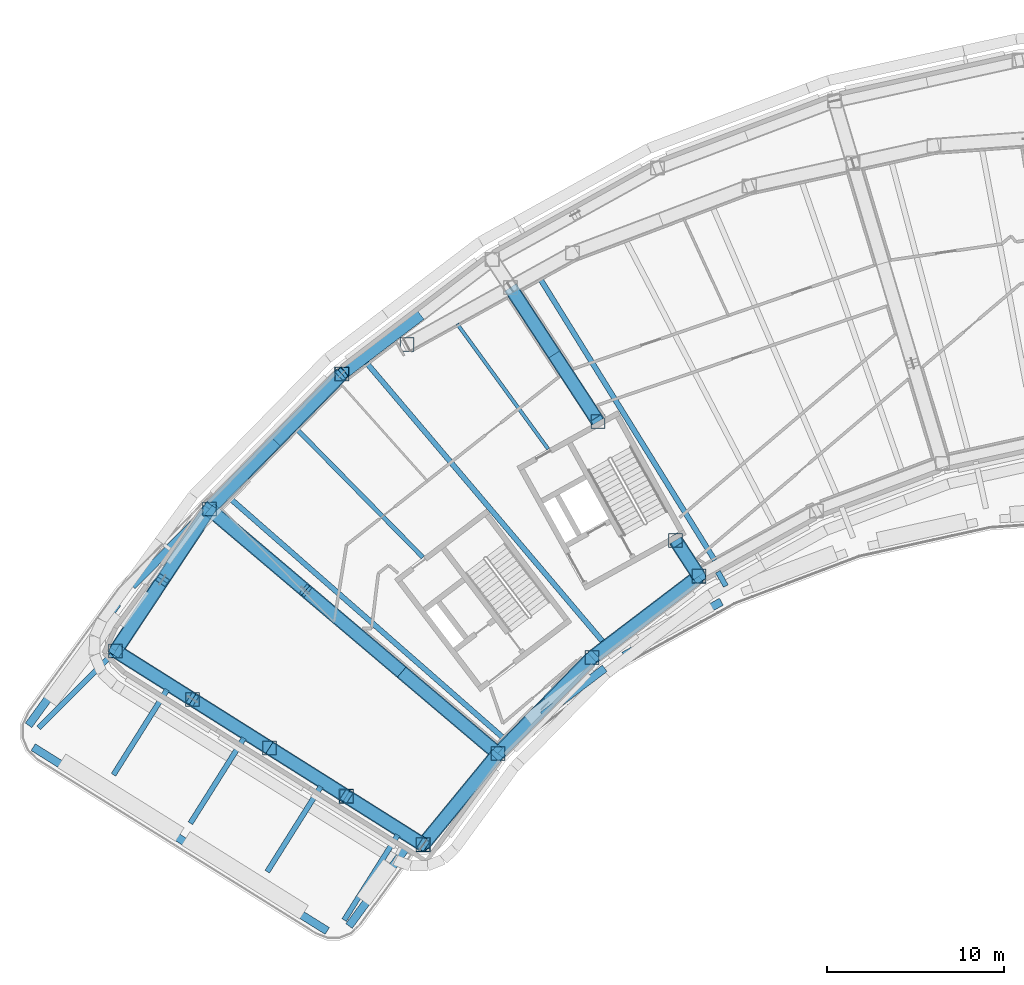
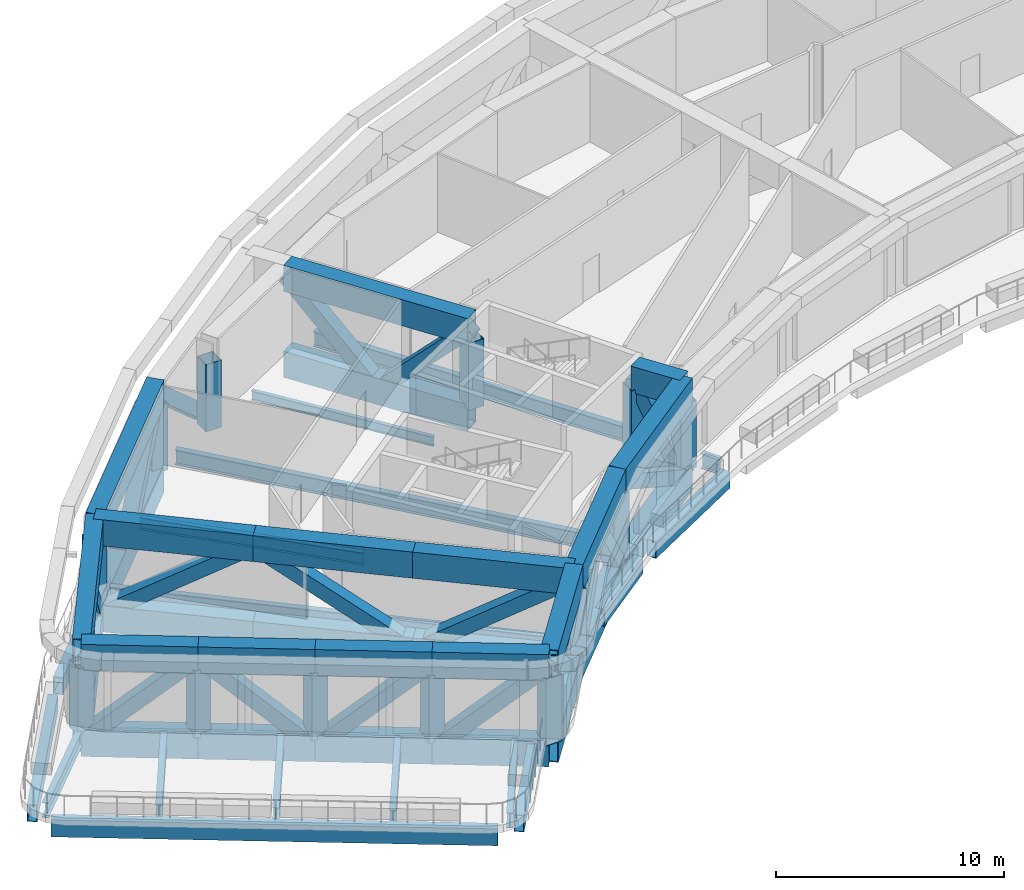
# One storey, part 1 of 25: 45 beams, 32 members.
"""IFC4 building model written with IfcOpenShell, lengths in metres."""

from ifc_helpers import new_model, si_unit, direction, frame, origin, origin_2d, place, context, subcontext, project, spatial, hollow_rectangle, i_section, extrude, material, material_profile, profile_set, type_object, element, save


model = new_model("IFC4")

# Units and contexts
model_context = context("Model", 3, precision=1e-05, world=origin(), true_north=direction((0.0, 1.0)))
body_context = subcontext(model_context, "Body", "Model", "MODEL_VIEW")
ifc_project = project(units=[si_unit("LENGTHUNIT", "METRE"), si_unit("AREAUNIT", "SQUARE_METRE"), si_unit("VOLUMEUNIT", "CUBIC_METRE"), si_unit("PLANEANGLEUNIT", "RADIAN"), si_unit("MASSUNIT", "GRAM", prefix="KILO")], contexts=[model_context])

# Site, building, storey
site_placement = place(None, origin())
site = spatial("IfcSite", under=ifc_project, at=site_placement, CompositionType="ELEMENT")
building_placement = place(site_placement, origin())
building = spatial("IfcBuilding", under=site, at=building_placement, Name="Tuul Gate Civic Tower", CompositionType="ELEMENT")
storey_placement = place(building_placement, frame((0.0, 0.0, 60.89990234375)))
storey = spatial("IfcBuildingStorey", under=building, at=storey_placement, Name="Plant and refuge floor 2", CompositionType="ELEMENT", Elevation=60.89990234375)

# Beams
ifc_material_1 = material(Name="Steel S355", Category="steel")
ifc_material_profile_1 = material_profile(ifc_material_1, i_section(OverallWidth=0.199951171875, OverallDepth=0.5, WebThickness=0.010009765625, FlangeThickness=0.01611328125, at=origin_2d()), Name="PG500x200x10x16")
ifc_profile_set_1 = profile_set([ifc_material_profile_1], Name="Steel S355")
beam_type_1 = type_object("IfcBeamType", Name="STR-FLOOR BEAM-PG500x200x10x16", PredefinedType="BEAM", material=ifc_profile_set_1)
beam_1_placement = place(storey_placement, frame((-32.43115234375, -4.01953125, -0.64990234375), z_axis=(-0.588429211226, 0.808548739023, 0.0), x_axis=(-0.808548739023, -0.588429211226, 0.0)))
element("IfcBeam", 1, at=beam_1_placement, inside=storey, type_object=beam_type_1, Name="Floor beam", PredefinedType="BEAM", context=body_context, shape_type="SweptSolid", body=[
    extrude(i_section(OverallWidth=0.199951171875, OverallDepth=0.5, WebThickness=0.010009765625, FlangeThickness=0.01611328125, at=origin_2d()), origin(), (0.0, 0.0, 1.0), 8.736572265625),
])
ifc_material_2 = material(Name="Steel S355", Category="steel")
ifc_material_profile_2 = material_profile(ifc_material_2, i_section(OverallWidth=0.25, OverallDepth=0.64990234375, WebThickness=0.011962890625, FlangeThickness=0.02001953125, at=origin_2d()), Name="PG650x250x12x20")
ifc_profile_set_2 = profile_set([ifc_material_profile_2], Name="Steel S355")
beam_type_2 = type_object("IfcBeamType", Name="STR-FLOOR BEAM-PG650x250x12x20", PredefinedType="BEAM", material=ifc_profile_set_2)
beam_2_placement = place(storey_placement, frame((-39.507568359375, -10.1357421875, -0.724853515625), z_axis=(-0.701237175916, 0.71292806307, 0.0), x_axis=(-0.71292806307, -0.701237175916, 0.0)))
element("IfcBeam", 2, at=beam_2_placement, inside=storey, type_object=beam_type_2, Name="Floor beam", PredefinedType="BEAM", context=body_context, shape_type="SweptSolid", body=[
    extrude(i_section(OverallWidth=0.25, OverallDepth=0.64990234375, WebThickness=0.011962890625, FlangeThickness=0.02001953125, at=origin_2d()), origin(), (0.0, 0.0, 1.0), 10.169921875),
])
ifc_material_3 = material(Name="Steel S355", Category="steel")
ifc_material_profile_3 = material_profile(ifc_material_3, i_section(OverallWidth=0.300048828125, OverallDepth=0.800048828125, WebThickness=0.013916015625, FlangeThickness=0.02490234375, at=origin_2d()), Name="PG800x300x14x25")
ifc_profile_set_3 = profile_set([ifc_material_profile_3], Name="Steel S355")
beam_type_3 = type_object("IfcBeamType", Name="STR-FLOOR BEAM-PG800x300x14x25", PredefinedType="BEAM", material=ifc_profile_set_3)
beam_3_placement = place(storey_placement, frame((-23.02783203125, -10.303466796875, -0.7998046875), z_axis=(-0.527010779608, 0.849858598931, 0.0), x_axis=(-0.849858598931, -0.527010779608, 0.0)))
element("IfcBeam", 3, at=beam_3_placement, inside=storey, type_object=beam_type_3, Name="Floor beam", PredefinedType="BEAM", context=body_context, shape_type="SweptSolid", body=[
    extrude(i_section(OverallWidth=0.300048828125, OverallDepth=0.800048828125, WebThickness=0.013916015625, FlangeThickness=0.02490234375, at=origin_2d()), origin(), (0.0, 0.0, 1.0), 18.748046875),
])
beam_4_placement = place(storey_placement, frame((-29.349609375, -14.892822265625, -0.7998046875), z_axis=(-0.64658450464, 0.762842367963, 0.0), x_axis=(-0.762842367963, -0.64658450464, 0.0)))
element("IfcBeam", 4, at=beam_4_placement, inside=storey, type_object=beam_type_3, Name="Floor beam", PredefinedType="BEAM", context=body_context, shape_type="SweptSolid", body=[
    extrude(i_section(OverallWidth=0.300048828125, OverallDepth=0.800048828125, WebThickness=0.013916015625, FlangeThickness=0.02490234375, at=origin_2d()), origin(), (0.0, 0.0, 1.0), 20.628173828125),
])
beam_5_placement = place(storey_placement, frame((-34.9267578125, -20.36474609375, -0.7998046875), z_axis=(-0.752029607568, 0.65912932672, 0.0), x_axis=(-0.65912932672, -0.752029607568, 0.0)))
element("IfcBeam", 5, at=beam_5_placement, inside=storey, type_object=beam_type_3, Name="Floor beam", PredefinedType="BEAM", context=body_context, shape_type="SweptSolid", body=[
    extrude(i_section(OverallWidth=0.300048828125, OverallDepth=0.800048828125, WebThickness=0.013916015625, FlangeThickness=0.02490234375, at=origin_2d()), origin(), (0.0, 0.0, 1.0), 20.63232421875),
])
beam_6_placement = place(storey_placement, frame((-22.402099609375, -11.756591796875, -0.7998046875), z_axis=(-0.484745506199, 0.874655243065, 0.0), x_axis=(-0.874655243065, -0.484745506199, 0.0)))
element("IfcBeam", 6, at=beam_6_placement, inside=storey, type_object=beam_type_3, Name="Terrace beam", PredefinedType="BEAM", context=body_context, shape_type="SweptSolid", body=[
    extrude(i_section(OverallWidth=0.300048828125, OverallDepth=0.800048828125, WebThickness=0.013916015625, FlangeThickness=0.02490234375, at=origin_2d()), origin(), (0.0, 0.0, 1.0), 0.924072265625),
])
beam_7_placement = place(storey_placement, frame((-61.21142578125, -19.770263671875, -0.7998046875), z_axis=(0.707023312288, 0.707190240233, 0.0), x_axis=(-0.707190240233, 0.707023312288, 0.0)))
element("IfcBeam", 7, at=beam_7_placement, inside=storey, type_object=beam_type_3, Name="Terrace beam", PredefinedType="BEAM", context=body_context, shape_type="SweptSolid", body=[
    extrude(i_section(OverallWidth=0.300048828125, OverallDepth=0.800048828125, WebThickness=0.013916015625, FlangeThickness=0.02490234375, at=origin_2d()), origin(), (0.0, 0.0, 1.0), 5.85009765625),
])
beam_8_placement = place(storey_placement, frame((-56.981689453125, -22.4140625, -0.7998046875), z_axis=(0.532881660898, 0.846189775097, 0.0), x_axis=(-0.846189775097, 0.532881660898, 0.0)))
element("IfcBeam", 8, at=beam_8_placement, inside=storey, type_object=beam_type_3, Name="Terrace beam", PredefinedType="BEAM", context=body_context, shape_type="SweptSolid", body=[
    extrude(i_section(OverallWidth=0.300048828125, OverallDepth=0.800048828125, WebThickness=0.013916015625, FlangeThickness=0.02490234375, at=origin_2d()), origin(), (0.0, 0.0, 1.0), 5.6806640625),
])
beam_9_placement = place(storey_placement, frame((-52.6396484375, -25.14892578125, -0.7998046875), z_axis=(0.532993353235, 0.84611942739, 0.0), x_axis=(-0.84611942739, 0.532993353235, 0.0)))
element("IfcBeam", 9, at=beam_9_placement, inside=storey, type_object=beam_type_3, Name="Terrace beam", PredefinedType="BEAM", context=body_context, shape_type="SweptSolid", body=[
    extrude(i_section(OverallWidth=0.300048828125, OverallDepth=0.800048828125, WebThickness=0.013916015625, FlangeThickness=0.02490234375, at=origin_2d()), origin(), (0.0, 0.0, 1.0), 5.680908203125),
])
beam_10_placement = place(storey_placement, frame((-48.296630859375, -27.884033203125, -0.7998046875), z_axis=(0.532742602155, 0.846277330341, 0.0), x_axis=(-0.846277330341, 0.532742602155, 0.0)))
element("IfcBeam", 10, at=beam_10_placement, inside=storey, type_object=beam_type_3, Name="Terrace beam", PredefinedType="BEAM", context=body_context, shape_type="SweptSolid", body=[
    extrude(i_section(OverallWidth=0.300048828125, OverallDepth=0.800048828125, WebThickness=0.013916015625, FlangeThickness=0.02490234375, at=origin_2d()), origin(), (0.0, 0.0, 1.0), 5.68115234375),
])
beam_11_placement = place(storey_placement, frame((-43.95458984375, -30.617919921875, -0.7998046875), z_axis=(0.532962584594, 0.846138808603, 0.0), x_axis=(-0.846138808603, 0.532962584594, 0.0)))
element("IfcBeam", 11, at=beam_11_placement, inside=storey, type_object=beam_type_3, Name="Terrace beam", PredefinedType="BEAM", context=body_context, shape_type="SweptSolid", body=[
    extrude(i_section(OverallWidth=0.300048828125, OverallDepth=0.800048828125, WebThickness=0.013916015625, FlangeThickness=0.02490234375, at=origin_2d()), origin(), (0.0, 0.0, 1.0), 5.6806640625),
])
ifc_material_4 = material(Name="Steel S355", Category="steel")
ifc_material_profile_4 = material_profile(ifc_material_4, hollow_rectangle(XDim=0.449951171875, YDim=0.89990234375, WallThickness=0.02490234375, at=origin_2d()), Name="BOX900x450x25")
ifc_profile_set_4 = profile_set([ifc_material_profile_4], Name="Steel S355")
beam_type_4 = type_object("IfcBeamType", Name="STR-SPANDREL BEAM-BOX900x450x25", PredefinedType="BEAM", material=ifc_profile_set_4)
beam_12_placement = place(storey_placement, frame((-52.472412109375, -8.238525390625, -0.849853515625), z_axis=(-0.700001465788, -0.714141406092, 0.0), x_axis=(0.714141406092, -0.700001465788, 0.0)))
element("IfcBeam", 12, at=beam_12_placement, inside=storey, type_object=beam_type_4, Name="Terrace edge beam", PredefinedType="BEAM", context=body_context, shape_type="SweptSolid", body=[
    extrude(hollow_rectangle(XDim=0.449951171875, YDim=0.89990234375, WallThickness=0.02490234375, at=origin_2d()), origin(), (0.0, 0.0, 1.0), 4.9208984375),
])
beam_13_placement = place(storey_placement, frame((-56.75537109375, -12.741943359375, -0.849853515625), z_axis=(-0.589760712569, -0.807578046946, 0.0), x_axis=(0.807578046946, -0.589760712569, 0.0)))
element("IfcBeam", 13, at=beam_13_placement, inside=storey, type_object=beam_type_4, Name="Terrace edge beam", PredefinedType="BEAM", context=body_context, shape_type="SweptSolid", body=[
    extrude(hollow_rectangle(XDim=0.449951171875, YDim=0.89990234375, WallThickness=0.02490234375, at=origin_2d()), origin(), (0.0, 0.0, 1.0), 8.517333984375),
])
beam_14_placement = place(storey_placement, frame((-61.515625, -20.853515625, -0.849853515625), z_axis=(0.848047328891, -0.529920492113, 0.0), x_axis=(0.529920492113, 0.848047328891, 0.0)))
element("IfcBeam", 14, at=beam_14_placement, inside=storey, type_object=beam_type_4, Name="Terrace edge beam", PredefinedType="BEAM", context=body_context, shape_type="SweptSolid", body=[
    extrude(hollow_rectangle(XDim=0.449951171875, YDim=0.89990234375, WallThickness=0.02490234375, at=origin_2d()), origin(), (0.0, 0.0, 1.0), 19.58251953125),
])
beam_15_placement = place(storey_placement, frame((-43.680419921875, -30.95361328125, -0.849853515625), z_axis=(0.589850421812, 0.807512526149, 0.0), x_axis=(-0.807512526149, 0.589850421812, 0.0)))
element("IfcBeam", 15, at=beam_15_placement, inside=storey, type_object=beam_type_4, Name="Terrace edge beam", PredefinedType="BEAM", context=body_context, shape_type="SweptSolid", body=[
    extrude(hollow_rectangle(XDim=0.449951171875, YDim=0.89990234375, WallThickness=0.02490234375, at=origin_2d()), origin(), (0.0, 0.0, 1.0), 5.452392578125),
])
beam_16_placement = place(storey_placement, frame((-32.736328125, -19.058837890625, -0.849853515625), z_axis=(0.795600227545, 0.605821985348, 0.0), x_axis=(-0.605821985348, 0.795600227545, 0.0)))
element("IfcBeam", 16, at=beam_16_placement, inside=storey, type_object=beam_type_4, Name="Terrace edge beam", PredefinedType="BEAM", context=body_context, shape_type="SweptSolid", body=[
    extrude(hollow_rectangle(XDim=0.449951171875, YDim=0.89990234375, WallThickness=0.02490234375, at=origin_2d()), origin(), (0.0, 0.0, 1.0), 4.389404296875),
])
beam_17_placement = place(storey_placement, frame((-28.158447265625, -15.69091796875, -0.849853515625), z_axis=(0.874588873098, 0.484865242158, 0.0), x_axis=(-0.484865242158, 0.874588873098, 0.0)))
element("IfcBeam", 17, at=beam_17_placement, inside=storey, type_object=beam_type_4, Name="Terrace edge beam", PredefinedType="BEAM", context=body_context, shape_type="SweptSolid", body=[
    extrude(hollow_rectangle(XDim=0.449951171875, YDim=0.89990234375, WallThickness=0.02490234375, at=origin_2d()), origin(), (0.0, 0.0, 1.0), 6.2919921875),
])
ifc_material_5 = material(Name="Steel S460", Category="steel")
ifc_material_profile_5 = material_profile(ifc_material_5, hollow_rectangle(XDim=0.800048828125, YDim=1.39990234375, WallThickness=0.0400390625, at=origin_2d()), Name="BOX1400x800x40")
ifc_profile_set_5 = profile_set([ifc_material_profile_5], Name="Steel S460")
beam_type_5 = type_object("IfcBeamType", Name="STR-TRANSFER TRUSS CHORD-BOX1400x800x40", PredefinedType="BEAM", material=ifc_profile_set_5)
beam_18_placement = place(storey_placement, frame((-51.56396484375, -7.408935546875, -1.099853515625), z_axis=(0.762827934926, -0.646601532396, 0.0), x_axis=(0.646601532396, 0.762827934926, 0.0)))
element("IfcBeam", 18, at=beam_18_placement, inside=storey, type_object=beam_type_5, Name="Radial truss bottom chord", PredefinedType="BEAM", context=body_context, shape_type="SweptSolid", body=[
    extrude(hollow_rectangle(XDim=0.800048828125, YDim=1.39990234375, WallThickness=0.0400390625, at=origin_2d()), origin(), (0.0, 0.0, 1.0), 7.118896484375),
])
beam_19_placement = place(storey_placement, frame((-46.133544921875, -12.011962890625, -1.099853515625), z_axis=(0.762813595765, -0.646618448636, 0.0), x_axis=(0.646618448636, 0.762813595765, 0.0)))
element("IfcBeam", 19, at=beam_19_placement, inside=storey, type_object=beam_type_5, Name="Radial truss bottom chord", PredefinedType="BEAM", context=body_context, shape_type="SweptSolid", body=[
    extrude(hollow_rectangle(XDim=0.800048828125, YDim=1.39990234375, WallThickness=0.0400390625, at=origin_2d()), origin(), (0.0, 0.0, 1.0), 7.11865234375),
])
for number, where, z_axis, x_axis, name in (
    (20, (-40.703369140625, -16.614990234375, -1.099853515625), (0.762827934926, -0.646601532396, 0.0), (0.646601532396, 0.762827934926, 0.0), "Radial truss bottom chord"),
    (21, (-51.56396484375, -7.408935546875, 3.5), (0.762827934926, -0.646601532396, 0.0), (0.646601532396, 0.762827934926, 0.0), "Radial truss top chord"),
):
    element("IfcBeam", number, at=place(storey_placement, frame(where, z_axis=z_axis, x_axis=x_axis)), inside=storey, type_object=beam_type_5, Name=name, PredefinedType="BEAM", context=body_context, shape_type="SweptSolid", body=[
        extrude(hollow_rectangle(XDim=0.800048828125, YDim=1.39990234375, WallThickness=0.0400390625, at=origin_2d()), origin(), (0.0, 0.0, 1.0), 7.118896484375),
    ])
beam_20_placement = place(storey_placement, frame((-46.133544921875, -12.011962890625, 3.5), z_axis=(0.762813595765, -0.646618448636, 0.0), x_axis=(0.646618448636, 0.762813595765, 0.0)))
element("IfcBeam", 22, at=beam_20_placement, inside=storey, type_object=beam_type_5, Name="Radial truss top chord", PredefinedType="BEAM", context=body_context, shape_type="SweptSolid", body=[
    extrude(hollow_rectangle(XDim=0.800048828125, YDim=1.39990234375, WallThickness=0.0400390625, at=origin_2d()), origin(), (0.0, 0.0, 1.0), 7.11865234375),
])
beam_21_placement = place(storey_placement, frame((-40.703369140625, -16.614990234375, 3.5), z_axis=(0.762827934926, -0.646601532396, 0.0), x_axis=(0.646601532396, 0.762827934926, 0.0)))
element("IfcBeam", 23, at=beam_21_placement, inside=storey, type_object=beam_type_5, Name="Radial truss top chord", PredefinedType="BEAM", context=body_context, shape_type="SweptSolid", body=[
    extrude(hollow_rectangle(XDim=0.800048828125, YDim=1.39990234375, WallThickness=0.0400390625, at=origin_2d()), origin(), (0.0, 0.0, 1.0), 7.118896484375),
])
for number, where, z_axis, x_axis, name in (
    (24, (-34.566650390625, 5.110595703125, -1.099853515625), (0.546757619378, -0.837290932503, 0.0), (0.837290932503, 0.546757619378, 0.0), "Radial truss bottom chord"),
    (25, (-34.566650390625, 5.110595703125, 3.5), (0.546757619378, -0.837290932503, 0.0), (0.837290932503, 0.546757619378, 0.0), "Radial truss top chord"),
):
    element("IfcBeam", number, at=place(storey_placement, frame(where, z_axis=z_axis, x_axis=x_axis)), inside=storey, type_object=beam_type_5, Name=name, PredefinedType="BEAM", context=body_context, shape_type="SweptSolid", body=[
        extrude(hollow_rectangle(XDim=0.800048828125, YDim=1.39990234375, WallThickness=0.0400390625, at=origin_2d()), origin(), (0.0, 0.0, 1.0), 9.04443359375),
    ])
for number, where, z_axis, x_axis, name in (
    (26, (-44.089111328125, 0.216064453125, -1.099853515625), (-0.700041006528, -0.714102646108, 0.0), (0.714102646108, -0.700041006528, 0.0), "Belt truss bottom chord"),
    (27, (-44.089111328125, 0.216064453125, 3.5), (-0.700041006528, -0.714102646108, 0.0), (0.714102646108, -0.700041006528, 0.0), "Belt truss top chord"),
):
    element("IfcBeam", number, at=place(storey_placement, frame(where, z_axis=z_axis, x_axis=x_axis)), inside=storey, type_object=beam_type_5, Name=name, PredefinedType="BEAM", context=body_context, shape_type="SweptSolid", body=[
        extrude(hollow_rectangle(XDim=0.800048828125, YDim=1.39990234375, WallThickness=0.0400390625, at=origin_2d()), origin(), (0.0, 0.0, 1.0), 10.677734375),
    ])
for number, where, z_axis, x_axis, name in (
    (28, (-51.56396484375, -7.408935546875, -1.099853515625), (-0.551652439402, -0.834074089097, 0.0), (0.834074089097, -0.551652439402, 0.0), "Belt truss bottom chord"),
    (29, (-51.56396484375, -7.408935546875, 3.5), (-0.551652439402, -0.834074089097, 0.0), (0.834074089097, -0.551652439402, 0.0), "Belt truss top chord"),
):
    element("IfcBeam", number, at=place(storey_placement, frame(where, z_axis=z_axis, x_axis=x_axis)), inside=storey, type_object=beam_type_5, Name=name, PredefinedType="BEAM", context=body_context, shape_type="SweptSolid", body=[
        extrude(hollow_rectangle(XDim=0.800048828125, YDim=1.39990234375, WallThickness=0.0400390625, at=origin_2d()), origin(), (0.0, 0.0, 1.0), 9.605712890625),
    ])
for number, where, z_axis, x_axis, name in (
    (30, (-35.27294921875, -21.218017578125, -1.099853515625), (0.700013541041, 0.714129569728, 0.0), (-0.714129569728, 0.700013541041, 0.0), "Belt truss bottom chord"),
    (31, (-35.27294921875, -21.218017578125, 3.5), (0.700013541041, 0.714129569728, 0.0), (-0.714129569728, 0.700013541041, 0.0), "Belt truss top chord"),
):
    element("IfcBeam", number, at=place(storey_placement, frame(where, z_axis=z_axis, x_axis=x_axis)), inside=storey, type_object=beam_type_5, Name=name, PredefinedType="BEAM", context=body_context, shape_type="SweptSolid", body=[
        extrude(hollow_rectangle(XDim=0.800048828125, YDim=1.39990234375, WallThickness=0.0400390625, at=origin_2d()), origin(), (0.0, 0.0, 1.0), 7.592529296875),
    ])
for number, where, z_axis, x_axis, name in (
    (32, (-29.9580078125, -15.7958984375, -1.099853515625), (0.795625835802, 0.605788353638, 0.0), (-0.605788353638, 0.795625835802, 0.0), "Belt truss bottom chord"),
    (33, (-29.9580078125, -15.7958984375, 3.5), (0.795625835802, 0.605788353638, 0.0), (-0.605788353638, 0.795625835802, 0.0), "Belt truss top chord"),
):
    element("IfcBeam", number, at=place(storey_placement, frame(where, z_axis=z_axis, x_axis=x_axis)), inside=storey, type_object=beam_type_5, Name=name, PredefinedType="BEAM", context=body_context, shape_type="SweptSolid", body=[
        extrude(hollow_rectangle(XDim=0.800048828125, YDim=1.39990234375, WallThickness=0.0400390625, at=origin_2d()), origin(), (0.0, 0.0, 1.0), 7.591552734375),
    ])
for number, where, z_axis, x_axis, name in (
    (34, (-39.492919921875, -26.360107421875, -1.099853515625), (0.634390286361, 0.773012913586, 0.0), (-0.773012913586, 0.634390286361, 0.0), "Belt truss bottom chord"),
    (35, (-39.492919921875, -26.360107421875, 3.5), (0.634390286361, 0.773012913586, 0.0), (-0.773012913586, 0.634390286361, 0.0), "Belt truss top chord"),
):
    element("IfcBeam", number, at=place(storey_placement, frame(where, z_axis=z_axis, x_axis=x_axis)), inside=storey, type_object=beam_type_5, Name=name, PredefinedType="BEAM", context=body_context, shape_type="SweptSolid", body=[
        extrude(hollow_rectangle(XDim=0.800048828125, YDim=1.39990234375, WallThickness=0.0400390625, at=origin_2d()), origin(), (0.0, 0.0, 1.0), 6.652099609375),
    ])
for number, where, z_axis, x_axis, name in (
    (36, (-56.863037109375, -15.4208984375, -1.099853515625), (0.846178819959, -0.53289905672, 0.0), (0.53289905672, 0.846178819959, 0.0), "Belt truss bottom chord"),
    (37, (-56.863037109375, -15.4208984375, 3.5), (0.846178819959, -0.53289905672, 0.0), (0.53289905672, 0.846178819959, 0.0), "Belt truss top chord"),
):
    element("IfcBeam", number, at=place(storey_placement, frame(where, z_axis=z_axis, x_axis=x_axis)), inside=storey, type_object=beam_type_5, Name=name, PredefinedType="BEAM", context=body_context, shape_type="SweptSolid", body=[
        extrude(hollow_rectangle(XDim=0.800048828125, YDim=1.39990234375, WallThickness=0.0400390625, at=origin_2d()), origin(), (0.0, 0.0, 1.0), 5.132568359375),
    ])
for number, where, z_axis, x_axis, name in (
    (38, (-48.177978515625, -20.89111328125, -1.099853515625), (0.846286064045, -0.532728728156, 0.0), (0.532728728156, 0.846286064045, 0.0), "Belt truss bottom chord"),
    (39, (-48.177978515625, -20.89111328125, 3.5), (0.846286064045, -0.532728728156, 0.0), (0.532728728156, 0.846286064045, 0.0), "Belt truss top chord"),
):
    element("IfcBeam", number, at=place(storey_placement, frame(where, z_axis=z_axis, x_axis=x_axis)), inside=storey, type_object=beam_type_5, Name=name, PredefinedType="BEAM", context=body_context, shape_type="SweptSolid", body=[
        extrude(hollow_rectangle(XDim=0.800048828125, YDim=1.39990234375, WallThickness=0.0400390625, at=origin_2d()), origin(), (0.0, 0.0, 1.0), 5.1318359375),
    ])
for number, where, z_axis, x_axis, name in (
    (40, (-52.52001953125, -18.156005859375, -1.099853515625), (0.846124773729, -0.532984865903, 0.0), (0.532984865903, 0.846124773729, 0.0), "Belt truss bottom chord"),
    (41, (-52.52001953125, -18.156005859375, 3.5), (0.846124773729, -0.532984865903, 0.0), (0.532984865903, 0.846124773729, 0.0), "Belt truss top chord"),
    (42, (-43.8349609375, -23.625, -1.099853515625), (0.846124773729, -0.532984865903, 0.0), (0.532984865903, 0.846124773729, 0.0), "Belt truss bottom chord"),
    (43, (-43.8349609375, -23.625, 3.5), (0.846124773729, -0.532984865903, 0.0), (0.532984865903, 0.846124773729, 0.0), "Belt truss top chord"),
):
    element("IfcBeam", number, at=place(storey_placement, frame(where, z_axis=z_axis, x_axis=x_axis)), inside=storey, type_object=beam_type_5, Name=name, PredefinedType="BEAM", context=body_context, shape_type="SweptSolid", body=[
        extrude(hollow_rectangle(XDim=0.800048828125, YDim=1.39990234375, WallThickness=0.0400390625, at=origin_2d()), origin(), (0.0, 0.0, 1.0), 5.131591796875),
    ])
for number, where, z_axis, x_axis, name in (
    (44, (-25.236328125, -9.177978515625, -1.099853515625), (0.546730960041, -0.837308340656, 0.0), (0.837308340656, 0.546730960041, 0.0), "Radial truss bottom chord"),
    (45, (-25.236328125, -9.177978515625, 3.5), (0.546730960041, -0.837308340656, 0.0), (0.837308340656, 0.546730960041, 0.0), "Radial truss top chord"),
):
    element("IfcBeam", number, at=place(storey_placement, frame(where, z_axis=z_axis, x_axis=x_axis)), inside=storey, type_object=beam_type_5, Name=name, PredefinedType="BEAM", context=body_context, shape_type="SweptSolid", body=[
        extrude(hollow_rectangle(XDim=0.800048828125, YDim=1.39990234375, WallThickness=0.0400390625, at=origin_2d()), origin(), (0.0, 0.0, 1.0), 2.411376953125),
    ])

# Members
ifc_material_6 = material(Name="Steel S355", Category="steel")
ifc_material_profile_6 = material_profile(ifc_material_6, hollow_rectangle(XDim=0.699951171875, YDim=0.699951171875, WallThickness=0.031982421875, at=origin_2d()), Name="BOX700x700x32")
ifc_profile_set_6 = profile_set([ifc_material_profile_6], Name="Steel S355")
member_type_1 = type_object("IfcMemberType", Name="STR-TRANSFER TRUSS DIAGONAL-BOX700x700x32", PredefinedType="BRACE", material=ifc_profile_set_6)
for number, where, z_axis, x_axis, name in (
    (46, (-51.567138671875, -7.40625, -1.1025390625), (0.640701973272, -0.543081882774, 0.542736630464), (0.64660076349, 0.762828586679, 0.0), "Radial truss web"),
    (47, (-40.7001953125, -16.61767578125, -1.1025390625), (-0.640701973272, 0.543081882774, 0.542736630464), (-0.64660076349, -0.762828586679, 0.0), "Radial truss web"),
    (48, (-40.70654296875, -16.6123046875, -1.1025390625), (0.640701973272, -0.543081882774, 0.542736630464), (0.64660076349, 0.762828586679, 0.0), "Radial truss web"),
):
    element("IfcMember", number, at=place(storey_placement, frame(where, z_axis=z_axis, x_axis=x_axis)), inside=storey, type_object=member_type_1, Name=name, PredefinedType="BRACE", context=body_context, shape_type="SweptSolid", body=[
        extrude(hollow_rectangle(XDim=0.699951171875, YDim=0.699951171875, WallThickness=0.031982421875, at=origin_2d()), origin(), (0.0, 0.0, 1.0), 8.485595703125),
    ])
member_1_placement = place(storey_placement, frame((-32.09228515625, 1.3212890625, -1.103515625), z_axis=(-0.38326343746, 0.586987869658, 0.713129987016), x_axis=(-0.837319858466, -0.546713320322, 0.0)))
element("IfcMember", 49, at=member_1_placement, inside=storey, type_object=member_type_1, Name="Radial truss web", PredefinedType="BRACE", context=body_context, shape_type="SweptSolid", body=[
    extrude(hollow_rectangle(XDim=0.699951171875, YDim=0.699951171875, WallThickness=0.031982421875, at=origin_2d()), origin(), (0.0, 0.0, 1.0), 6.46044921875),
])
member_2_placement = place(storey_placement, frame((-32.095947265625, 1.3271484375, -1.103515625), z_axis=(0.383295675523, -0.586979367831, 0.713119658168), x_axis=(0.83729518164, 0.546751112301, 0.0)))
element("IfcMember", 50, at=member_2_placement, inside=storey, type_object=member_type_1, Name="Radial truss web", PredefinedType="BRACE", context=body_context, shape_type="SweptSolid", body=[
    extrude(hollow_rectangle(XDim=0.699951171875, YDim=0.699951171875, WallThickness=0.031982421875, at=origin_2d()), origin(), (0.0, 0.0, 1.0), 6.460693359375),
])
for number, where, z_axis, x_axis, name in (
    (51, (-47.8291015625, -3.59912109375, -1.103271484375), (0.530327577337, 0.540982560626, 0.652756102855), (-0.714104170788, 0.70003945122, 0.0), "Belt truss web"),
    (52, (-47.82373046875, -3.59375, -1.103271484375), (-0.530352441255, -0.540972635598, 0.652744127196), (0.714081343317, -0.700062736565, 0.0), "Belt truss web"),
    (53, (-39.83837890625, 3.452392578125, -1.103271484375), (-0.60273601068, -0.45892761968, 0.652759328791), (0.605792780805, -0.795622464945, 0.0), "Belt truss web"),
):
    element("IfcMember", number, at=place(storey_placement, frame(where, z_axis=z_axis, x_axis=x_axis)), inside=storey, type_object=member_type_1, Name=name, PredefinedType="BRACE", context=body_context, shape_type="SweptSolid", body=[
        extrude(hollow_rectangle(XDim=0.699951171875, YDim=0.699951171875, WallThickness=0.031982421875, at=origin_2d()), origin(), (0.0, 0.0, 1.0), 7.057373046875),
    ])
for number, where, z_axis, x_axis, name in (
    (54, (-51.56201171875, -7.406005859375, -1.103271484375), (-0.398408456262, -0.602359569579, 0.691688984237), (0.834067180508, -0.55166288474, 0.0), "Belt truss web"),
    (55, (-56.864990234375, -15.424072265625, -1.103271484375), (0.398408456262, 0.602359569579, 0.691688984237), (-0.834067180508, 0.55166288474, 0.0), "Belt truss web"),
):
    element("IfcMember", number, at=place(storey_placement, frame(where, z_axis=z_axis, x_axis=x_axis)), inside=storey, type_object=member_type_1, Name=name, PredefinedType="BRACE", context=body_context, shape_type="SweptSolid", body=[
        extrude(hollow_rectangle(XDim=0.699951171875, YDim=0.699951171875, WallThickness=0.031982421875, at=origin_2d()), origin(), (0.0, 0.0, 1.0), 6.660400390625),
    ])
member_3_placement = place(storey_placement, frame((-23.91455078125, -11.1943359375, -1.1025390625), z_axis=(-0.680447655748, -0.518110559583, 0.518220451), x_axis=(0.605802197989, -0.795615294543, 0.0)))
element("IfcMember", 56, at=member_3_placement, inside=storey, type_object=member_type_1, Name="Belt truss web", PredefinedType="BRACE", context=body_context, shape_type="SweptSolid", body=[
    extrude(hollow_rectangle(XDim=0.699951171875, YDim=0.699951171875, WallThickness=0.031982421875, at=origin_2d()), origin(), (0.0, 0.0, 1.0), 8.88671875),
])
member_4_placement = place(storey_placement, frame((-35.2705078125, -21.21484375, -1.102783203125), z_axis=(-0.52177428173, -0.635801228078, 0.568777985949), x_axis=(0.773018980158, -0.634382894092, 0.0)))
element("IfcMember", 57, at=member_4_placement, inside=storey, type_object=member_type_1, Name="Belt truss web", PredefinedType="BRACE", context=body_context, shape_type="SweptSolid", body=[
    extrude(hollow_rectangle(XDim=0.699951171875, YDim=0.699951171875, WallThickness=0.031982421875, at=origin_2d()), origin(), (0.0, 0.0, 1.0), 8.09765625),
])
member_5_placement = place(storey_placement, frame((-56.8662109375, -15.4189453125, -1.103271484375), z_axis=(0.630139249126, -0.396830324779, 0.667420572088), x_axis=(0.532886335228, 0.846186831455, 0.0)))
element("IfcMember", 58, at=member_5_placement, inside=storey, type_object=member_type_1, Name="Belt truss web", PredefinedType="BRACE", context=body_context, shape_type="SweptSolid", body=[
    extrude(hollow_rectangle(XDim=0.699951171875, YDim=0.699951171875, WallThickness=0.031982421875, at=origin_2d()), origin(), (0.0, 0.0, 1.0), 6.90234375),
])
member_6_placement = place(storey_placement, frame((-48.18115234375, -20.888916015625, -1.103271484375), z_axis=(0.630174625329, -0.396711109911, 0.667458041276), x_axis=(0.532750272584, 0.846272501657, 0.0)))
element("IfcMember", 59, at=member_6_placement, inside=storey, type_object=member_type_1, Name="Belt truss web", PredefinedType="BRACE", context=body_context, shape_type="SweptSolid", body=[
    extrude(hollow_rectangle(XDim=0.699951171875, YDim=0.699951171875, WallThickness=0.031982421875, at=origin_2d()), origin(), (0.0, 0.0, 1.0), 6.90185546875),
])
for number, where, z_axis, x_axis, name in (
    (60, (-48.1748046875, -20.89306640625, -1.103271484375), (-0.630053932882, 0.39686570507, 0.667480077455), (-0.532972018739, -0.846132866187, 0.0), "Belt truss web"),
    (61, (-43.838134765625, -23.623046875, -1.103271484375), (0.630053932882, -0.39686570507, 0.667480077455), (0.532972018739, 0.846132866187, 0.0), "Belt truss web"),
):
    element("IfcMember", number, at=place(storey_placement, frame(where, z_axis=z_axis, x_axis=x_axis)), inside=storey, type_object=member_type_1, Name=name, PredefinedType="BRACE", context=body_context, shape_type="SweptSolid", body=[
        extrude(hollow_rectangle(XDim=0.699951171875, YDim=0.699951171875, WallThickness=0.031982421875, at=origin_2d()), origin(), (0.0, 0.0, 1.0), 6.901611328125),
    ])
member_7_placement = place(storey_placement, frame((-23.916748046875, -11.198974609375, -1.104248046875), z_axis=(-0.253818697973, 0.388750782146, 0.885691197845), x_axis=(-0.837329037014, -0.546699262641, 0.0)))
element("IfcMember", 62, at=member_7_placement, inside=storey, type_object=member_type_1, Name="Radial truss web", PredefinedType="BRACE", context=body_context, shape_type="SweptSolid", body=[
    extrude(hollow_rectangle(XDim=0.699951171875, YDim=0.699951171875, WallThickness=0.031982421875, at=origin_2d()), origin(), (0.0, 0.0, 1.0), 5.20361328125),
])
for number, where, z_axis, x_axis, name in (
    (63, (-29.955810546875, -15.793701171875, -1.103759765625), (-0.445563853523, -0.454554410963, 0.771267229894), (0.714133880589, -0.700009143222, 0.0), "Belt truss web"),
    (64, (-35.275146484375, -21.22021484375, -1.103759765625), (0.445563853523, 0.454554410963, 0.771267229894), (-0.714133880589, 0.700009143222, 0.0), "Belt truss web"),
):
    element("IfcMember", number, at=place(storey_placement, frame(where, z_axis=z_axis, x_axis=x_axis)), inside=storey, type_object=member_type_1, Name=name, PredefinedType="BRACE", context=body_context, shape_type="SweptSolid", body=[
        extrude(hollow_rectangle(XDim=0.699951171875, YDim=0.699951171875, WallThickness=0.031982421875, at=origin_2d()), origin(), (0.0, 0.0, 1.0), 5.97412109375),
    ])
ifc_material_7 = material(Name="Steel S355", Category="steel")
ifc_material_profile_7 = material_profile(ifc_material_7, hollow_rectangle(XDim=0.800048828125, YDim=0.800048828125, WallThickness=0.034912109375, at=origin_2d()), Name="BOX800x800x35")
ifc_profile_set_7 = profile_set([ifc_material_profile_7], Name="Steel S355")
member_type_2 = type_object("IfcMemberType", Name="STR-TRUSS POST-BOX800x800x35", PredefinedType="POST", material=ifc_profile_set_7)
for number, where, z_axis, x_axis, name in (
    (65, (-51.56396484375, -7.408935546875, -0.594970703125), (0.0, 0.0, 1.0), (1.0, 0.0, 0.0), "Radial truss post"),
    (66, (-35.27294921875, -21.218017578125, -0.594970703125), (0.0, 0.0, 1.0), (1.0, 0.0, 0.0), "Radial truss post"),
    (67, (-29.62158203125, -2.462158203125, -0.594970703125), (0.0, 0.0, 1.0), (1.0, 0.0, 0.0), "Radial truss post"),
    (68, (-44.089111328125, 0.216064453125, -0.594970703125), (0.0, 0.0, 1.0), (1.0, 0.0, 0.0), "Belt truss post"),
    (69, (-40.402099609375, 1.8759765625, -0.594970703125), (0.0, 0.0, 1.0), (1.0, 0.0, 0.0), "Belt truss post"),
    (70, (-56.863037109375, -15.4208984375, -0.594970703125), (0.0, 0.0, 1.0), (1.0, 0.0, 0.0), "Belt truss post"),
    (71, (-29.9580078125, -15.7958984375, -0.594970703125), (0.0, 0.0, 1.0), (1.0, 0.0, 0.0), "Belt truss post"),
    (72, (-23.91796875, -11.197021484375, -0.594970703125), (0.0, 0.0, 1.0), (1.0, 0.0, 0.0), "Belt truss post"),
    (73, (-39.492919921875, -26.360107421875, -0.594970703125), (0.0, 0.0, 1.0), (1.0, 0.0, 0.0), "Belt truss post"),
    (74, (-52.52001953125, -18.156005859375, -0.594970703125), (0.0, 0.0, 1.0), (1.0, 0.0, 0.0), "Belt truss post"),
    (75, (-48.177978515625, -20.89111328125, -0.594970703125), (0.0, 0.0, 1.0), (1.0, 0.0, 0.0), "Belt truss post"),
    (76, (-43.8349609375, -23.625, -0.594970703125), (0.0, 0.0, 1.0), (1.0, 0.0, 0.0), "Belt truss post"),
    (77, (-25.236328125, -9.177978515625, -0.594970703125), (0.0, 0.0, 1.0), (1.0, 0.0, 0.0), "Radial truss post"),
):
    element("IfcMember", number, at=place(storey_placement, frame(where, z_axis=z_axis, x_axis=x_axis)), inside=storey, type_object=member_type_2, Name=name, PredefinedType="POST", context=body_context, shape_type="SweptSolid", body=[
        extrude(hollow_rectangle(XDim=0.800048828125, YDim=0.800048828125, WallThickness=0.034912109375, at=origin_2d()), origin(), (0.0, 0.0, 1.0), 3.590087890625),
    ])

save(model, "model.ifc")
